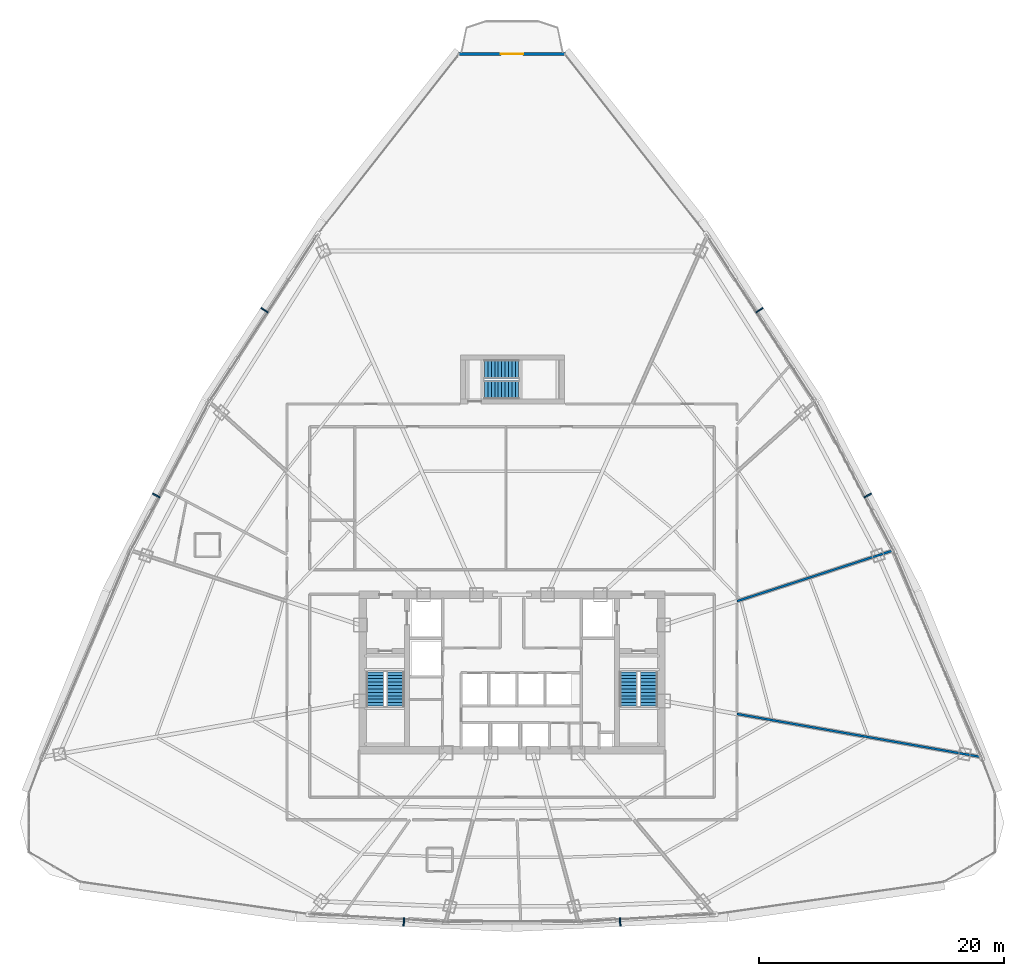
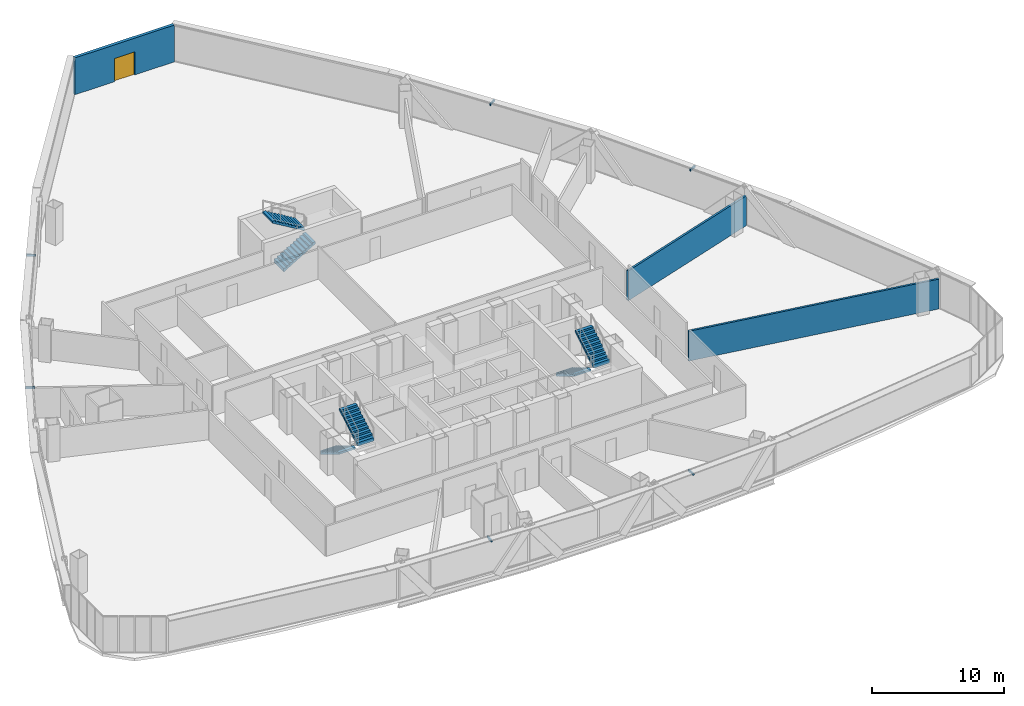
# One storey, part 37 of 41: 6 discrete accessories, 6 stair flights, 3 walls, 1 door, 1 opening, 3 elements without a shape of their own.
"""IFC4 building model written with IfcOpenShell, lengths in metres."""

from ifc_helpers import new_model, si_unit, direction, frame, frame_2d, origin, origin_with_axes, origin_2d, place, context, subcontext, project, spatial, polyline, rectangle, outline, extrude, source, transform, mapped, material, layer, layer_set, type_object, element, fill, aggregate, save


model = new_model("IFC4")

# Units and contexts
model_context = context("Model", 3, precision=1e-05, world=origin(), true_north=direction((0.0, 1.0)))
body_context = subcontext(model_context, "Body", "Model", "MODEL_VIEW")
ifc_project = project(units=[si_unit("LENGTHUNIT", "METRE"), si_unit("AREAUNIT", "SQUARE_METRE"), si_unit("VOLUMEUNIT", "CUBIC_METRE"), si_unit("PLANEANGLEUNIT", "RADIAN"), si_unit("MASSUNIT", "GRAM", prefix="KILO"), si_unit("THERMODYNAMICTEMPERATUREUNIT", "KELVIN"), si_unit("POWERUNIT", "WATT")], contexts=[model_context])

# Site, building, storey
site_placement = place(None, origin())
site = spatial("IfcSite", under=ifc_project, at=site_placement, CompositionType="ELEMENT")
building_placement = place(site_placement, origin())
building = spatial("IfcBuilding", under=site, at=building_placement, Name="Yunzhuo Pagoda Commons", CompositionType="ELEMENT")
storey_placement = place(building_placement, frame((0.0, 0.0, 155.590087890625)))
storey = spatial("IfcBuildingStorey", under=building, at=storey_placement, Name="L39", CompositionType="ELEMENT", Elevation=155.590087890625)

# Wall, opening, door
ifc_material_1 = material(Name="Precast concrete C40", Category="concrete")
ifc_layer_1 = layer(ifc_material_1, 0.260009765625)
ifc_layer_set_1 = layer_set([ifc_layer_1], Name="Precast concrete C40")
wall_type_1 = type_object("IfcWallType", Name="W-BAL1 Corner Balcony Threshold Wall 260", PredefinedType="STANDARD", material=ifc_layer_set_1)
wall_1_placement = place(storey_placement, frame((52.370849609375, 84.4130859375, 0.0), z_axis=(0.0, 0.0, 1.0), x_axis=(-1.0, 0.0, 0.0)))
wall_1 = element("IfcWall", 1, at=wall_1_placement, inside=storey, type_object=wall_type_1, Name="L39 corner balcony wall V3", PredefinedType="STANDARD", context=body_context, shape_type="SweptSolid", body=[
    extrude(rectangle(XDim=8.74169921875, YDim=0.260009765625, at=frame_2d((4.370849609375, 0.0))), origin(), (0.0, 0.0, 1.0), 3.419921875),
])
opening_placement = place(wall_1_placement, frame((3.470703125, 0.0, 0.0)))
opening = element("IfcOpeningElement", 2, at=opening_placement, cuts=wall_1, Name="Opening D-BAL1", PredefinedType="OPENING", context=body_context, shape_type="SweptSolid", body=[
    extrude(rectangle(XDim=1.800048828125, YDim=2.14990234375, at=frame_2d((0.89990234375, 1.074951171875))), frame((0.0, 0.14013671875, 0.0), z_axis=(0.0, -1.0, 0.0), x_axis=(1.0, 0.0, 0.0)), (0.0, 0.0, 1.0), 0.280029296875),
])
ifc_material_2 = material(Name="Anodized aluminium frame and tempered glazed leaf", Category="aluminium")
door_type = type_object("IfcDoorType", Name="D-BAL1 Corner Balcony Sliding Glazed Door 1800x2150", OperationType="DOUBLE_DOOR_SLIDING", PredefinedType="DOOR", material=ifc_material_2)
shared_shape_1 = source(origin(), body_context, "Body", "SweptSolid", [
    extrude(rectangle(XDim=1.800048828125, YDim=2.14990234375, at=frame_2d((0.89990234375, 1.074951171875))), frame((0.0, 0.02490234375, 0.0), z_axis=(0.0, -1.0, 0.0), x_axis=(1.0, 0.0, 0.0)), (0.0, 0.0, 1.0), 0.050048828125),
])
door_placement = place(opening_placement, origin_with_axes())
door = element("IfcDoor", 3, at=door_placement, inside=storey, type_object=door_type, Name="L39 corner balcony sliding door V3", OperationType="DOUBLE_DOOR_SLIDING", OverallHeight=2.14990234375, OverallWidth=1.800048828125, PredefinedType="DOOR", context=body_context, shape_type="MappedRepresentation", body=[
    mapped(shared_shape_1, transform((0.0, 0.0, 0.0), scale=1.0)),
])
fill(opening, door)

# Walls
ifc_material_3 = material(Name="Gypsum plasterboard on acoustic stud")
ifc_layer_2 = layer(ifc_material_3, 0.175048828125)
ifc_layer_set_2 = layer_set([ifc_layer_2], Name="Gypsum plasterboard on acoustic stud")
wall_type_2 = type_object("IfcWallType", Name="W-PRT3 Mid-Zone Demising Wall 175", PredefinedType="PARTITIONING", material=ifc_layer_set_2)
wall_2_placement = place(storey_placement, frame((66.39990234375, 39.678466796875, 0.0), z_axis=(0.0, 0.0, 1.0), x_axis=(0.951059027278, 0.309009266259, 0.0)))
element("IfcWall", 4, at=wall_2_placement, inside=storey, type_object=wall_type_2, Name="L39 interior wall IW-L39-RAD01", PredefinedType="PARTITIONING", context=body_context, shape_type="SweptSolid", body=[
    extrude(rectangle(XDim=13.440673828125, YDim=0.175048828125, at=frame_2d((6.72021484375, 0.0))), origin(), (0.0, 0.0, 1.0), 2.77001953125),
])
wall_3_placement = place(storey_placement, frame((66.39990234375, 30.45556640625, 0.0), z_axis=(0.0, 0.0, 1.0), x_axis=(0.98480815319, -0.173645908133, 0.0)))
element("IfcWall", 5, at=wall_3_placement, inside=storey, type_object=wall_type_2, Name="L39 interior wall IW-L39-RAD13", PredefinedType="PARTITIONING", context=body_context, shape_type="SweptSolid", body=[
    extrude(rectangle(XDim=20.2783203125, YDim=0.175048828125, at=frame_2d((10.13916015625, 0.0))), origin(), (0.0, 0.0, 1.0), 2.77001953125),
])

# Stair, stair flights
ifc_material_4 = material(Name="Concrete C40", Category="concrete")
stair_type_1 = type_object("IfcStairType", Name="ST-C1 Core Smokeproof Stair ST1", PredefinedType="HALF_TURN_STAIR", material=ifc_material_4)
stair_1_placement = place(storey_placement, origin())
stair_1 = element("IfcStair", 6, at=stair_1_placement, inside=storey, type_object=stair_type_1, Name="L39 Core smokeproof stair ST1", PredefinedType="HALF_TURN_STAIR")
stair_flight_type_1 = type_object("IfcStairFlightType", Name="STF-C1 Core Stair Flight 1450", PredefinedType="STRAIGHT", material=ifc_material_4)
shared_shape_2 = source(origin(), body_context, "Body", "SweptSolid", [
    extrude(outline(polyline([(0.0, -0.14990234375), (0.0, 0.0), (0.0, 0.167236328125), (0.280029296875, 0.167236328125), (0.280029296875, 0.33447265625), (0.56005859375, 0.33447265625), (0.56005859375, 0.501708984375), (0.840087890625, 0.501708984375), (0.840087890625, 0.669189453125), (1.1201171875, 0.669189453125), (1.1201171875, 0.83642578125), (1.39990234375, 0.83642578125), (1.39990234375, 1.003662109375), (1.679931640625, 1.003662109375), (1.679931640625, 1.1708984375), (1.9599609375, 1.1708984375), (1.9599609375, 1.338134765625), (2.239990234375, 1.338134765625), (2.239990234375, 1.50537109375), (2.52001953125, 1.50537109375), (2.52001953125, 1.672607421875), (2.800048828125, 1.672607421875), (2.800048828125, 1.840087890625), (2.800048828125, 1.498046875), (0.292236328125, 0.0), (0.050048828125, -0.14990234375), (0.0, -0.14990234375)])), frame((0.0, 0.72509765625, 0.0), z_axis=(0.0, -1.0, 0.0), x_axis=(1.0, 0.0, 0.0)), (0.0, 0.0, 1.0), 1.449951171875),
])
stair_flight_1_placement = place(storey_placement, frame((36.824951171875, 33.89990234375, 0.0), z_axis=(0.0, 0.0, 1.0), x_axis=(0.0, -1.0, 0.0)))
stair_flight_1 = element("IfcStairFlight", 7, at=stair_flight_1_placement, type_object=stair_flight_type_1, Name="ST1 flight 1", NumberOfRisers=11, NumberOfTreads=10, PredefinedType="STRAIGHT", RiserHeight=0.167272727, TreadLength=0.28, context=body_context, shape_type="MappedRepresentation", body=[
    mapped(shared_shape_2, transform((0.0, 0.0, 0.0), scale=1.0)),
])
stair_flight_2_placement = place(storey_placement, frame((38.47509765625, 31.10009765625, 1.83984375), z_axis=(0.0, 0.0, 1.0), x_axis=(0.0, 1.0, 0.0)))
stair_flight_2 = element("IfcStairFlight", 8, at=stair_flight_2_placement, type_object=stair_flight_type_1, Name="ST1 flight 2", NumberOfRisers=11, NumberOfTreads=10, PredefinedType="STRAIGHT", RiserHeight=0.167272727, TreadLength=0.28, context=body_context, shape_type="MappedRepresentation", body=[
    mapped(shared_shape_2, transform((0.0, 0.0, 0.0), scale=1.0)),
])
aggregate(stair_1, [stair_flight_1, stair_flight_2])

stair_type_2 = type_object("IfcStairType", Name="ST-C2 Core Smokeproof Stair ST2", PredefinedType="HALF_TURN_STAIR", material=ifc_material_4)
stair_2_placement = place(storey_placement, origin())
stair_2 = element("IfcStair", 9, at=stair_2_placement, inside=storey, type_object=stair_type_2, Name="L39 Core smokeproof stair ST2", PredefinedType="HALF_TURN_STAIR")
stair_flight_type_2 = type_object("IfcStairFlightType", Name="STF-C2 Core Stair Flight 1460", PredefinedType="STRAIGHT", material=ifc_material_4)
stair_flight_3_placement = place(storey_placement, frame((57.52490234375, 33.89990234375, 0.0), z_axis=(0.0, 0.0, 1.0), x_axis=(0.0, -1.0, 0.0)))
stair_flight_3 = element("IfcStairFlight", 10, at=stair_flight_3_placement, type_object=stair_flight_type_2, Name="ST2 flight 1", NumberOfRisers=11, NumberOfTreads=10, PredefinedType="STRAIGHT", RiserHeight=0.167272727, TreadLength=0.28, context=body_context, shape_type="MappedRepresentation", body=[
    mapped(shared_shape_2, transform((0.0, 0.0, 0.0), scale=1.0)),
])
stair_flight_4_placement = place(storey_placement, frame((59.175048828125, 31.10009765625, 1.83984375), z_axis=(0.0, 0.0, 1.0), x_axis=(0.0, 1.0, 0.0)))
stair_flight_4 = element("IfcStairFlight", 11, at=stair_flight_4_placement, type_object=stair_flight_type_2, Name="ST2 flight 2", NumberOfRisers=11, NumberOfTreads=10, PredefinedType="STRAIGHT", RiserHeight=0.167272727, TreadLength=0.28, context=body_context, shape_type="MappedRepresentation", body=[
    mapped(shared_shape_2, transform((0.0, 0.0, 0.0), scale=1.0)),
])
aggregate(stair_2, [stair_flight_3, stair_flight_4])

stair_type_3 = type_object("IfcStairType", Name="ST-C3 North Tower Smokeproof Stair ST3", PredefinedType="HALF_TURN_STAIR", material=ifc_material_4)
stair_3_placement = place(storey_placement, origin())
stair_3 = element("IfcStair", 12, at=stair_3_placement, inside=storey, type_object=stair_type_3, Name="L39 North tower smokeproof stair ST3", PredefinedType="HALF_TURN_STAIR")
stair_flight_type_3 = type_object("IfcStairFlightType", Name="STF-C3 North Stair Flight 1500", PredefinedType="STRAIGHT", material=ifc_material_4)
shared_shape_3 = source(origin(), body_context, "Body", "SweptSolid", [
    extrude(outline(polyline([(0.0, -0.14990234375), (0.0, 0.0), (0.0, 0.167236328125), (0.280029296875, 0.167236328125), (0.280029296875, 0.33447265625), (0.56005859375, 0.33447265625), (0.56005859375, 0.501708984375), (0.840087890625, 0.501708984375), (0.840087890625, 0.669189453125), (1.1201171875, 0.669189453125), (1.1201171875, 0.83642578125), (1.39990234375, 0.83642578125), (1.39990234375, 1.003662109375), (1.679931640625, 1.003662109375), (1.679931640625, 1.1708984375), (1.9599609375, 1.1708984375), (1.9599609375, 1.338134765625), (2.239990234375, 1.338134765625), (2.239990234375, 1.50537109375), (2.52001953125, 1.50537109375), (2.52001953125, 1.672607421875), (2.800048828125, 1.672607421875), (2.800048828125, 1.840087890625), (2.800048828125, 1.498046875), (0.292236328125, 0.0), (0.050048828125, -0.14990234375), (0.0, -0.14990234375)])), frame((0.0, 0.75, 0.0), z_axis=(0.0, -1.0, 0.0), x_axis=(1.0, 0.0, 0.0)), (0.0, 0.0, 1.0), 1.5),
])
stair_flight_5_placement = place(storey_placement, frame((45.75, 56.949951171875, 0.0), z_axis=(0.0, 0.0, 1.0), x_axis=(1.0, 0.0, 0.0)))
stair_flight_5 = element("IfcStairFlight", 13, at=stair_flight_5_placement, type_object=stair_flight_type_3, Name="ST3 flight 1", NumberOfRisers=11, NumberOfTreads=10, PredefinedType="STRAIGHT", RiserHeight=0.167272727, TreadLength=0.28, context=body_context, shape_type="MappedRepresentation", body=[
    mapped(shared_shape_3, transform((0.0, 0.0, 0.0), scale=1.0)),
])
stair_flight_6_placement = place(storey_placement, frame((48.550048828125, 58.64990234375, 1.83984375), z_axis=(0.0, 0.0, 1.0), x_axis=(-1.0, 0.0, 0.0)))
stair_flight_6 = element("IfcStairFlight", 14, at=stair_flight_6_placement, type_object=stair_flight_type_3, Name="ST3 flight 2", NumberOfRisers=11, NumberOfTreads=10, PredefinedType="STRAIGHT", RiserHeight=0.167272727, TreadLength=0.28, context=body_context, shape_type="MappedRepresentation", body=[
    mapped(shared_shape_3, transform((0.0, 0.0, 0.0), scale=1.0)),
])
aggregate(stair_3, [stair_flight_5, stair_flight_6])

# Discrete accessories
ifc_material_5 = material(Name="Anodized aluminium 6063-T6", Category="aluminium")
discrete_accessory_type = type_object("IfcDiscreteAccessoryType", Name="BK-SUN1 Sunshade Outrigger Bracket", PredefinedType="BRACKET", material=ifc_material_5)
shared_shape_4 = source(origin(), body_context, "Body", "SweptSolid", [
    extrude(rectangle(XDim=0.1201171875, YDim=0.679931640625, at=origin_2d()), origin(), (0.0, 0.0, 1.0), 0.179931640625),
])
for number, where, z_axis, x_axis, name in (
    (15, (39.15576171875, 13.44482421875, 3.2099609375), (0.0, 0.0, 1.0), (0.998818043775, -0.04860571396, 0.0), "L39 sunshade outrigger bracket F1.2"),
    (16, (56.84423828125, 13.44482421875, 3.2099609375), (0.0, 0.0, 1.0), (0.998818043775, 0.04860571396, 0.0), "L39 sunshade outrigger bracket F1.3"),
    (17, (77.08349609375, 48.316162109375, 3.2099609375), (0.0, 0.0, 1.0), (-0.461206683033, 0.88729273384, 0.0), "L39 sunshade outrigger bracket F2.2"),
    (18, (68.239013671875, 63.467529296875, 3.2099609375), (0.0, 0.0, 1.0), (-0.545838756973, 0.837890238269, 0.0), "L39 sunshade outrigger bracket F2.3"),
    (19, (27.760986328125, 63.467529296875, 3.2099609375), (0.0, 0.0, 1.0), (-0.545838756973, -0.837890238269, 0.0), "L39 sunshade outrigger bracket F3.2"),
    (20, (18.91650390625, 48.316162109375, 3.2099609375), (0.0, 0.0, 1.0), (-0.461206683033, -0.88729273384, 0.0), "L39 sunshade outrigger bracket F3.3"),
):
    element("IfcDiscreteAccessory", number, at=place(storey_placement, frame(where, z_axis=z_axis, x_axis=x_axis)), inside=storey, type_object=discrete_accessory_type, Name=name, PredefinedType="BRACKET", context=body_context, shape_type="MappedRepresentation", body=[
        mapped(shared_shape_4, transform((0.0, 0.0, 0.0), scale=1.0)),
    ])

save(model, "model.ifc")
